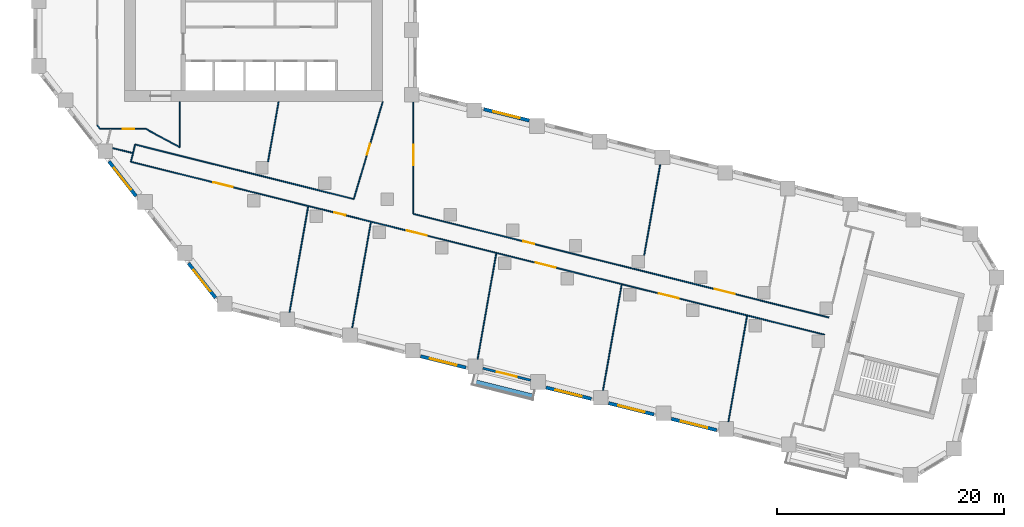
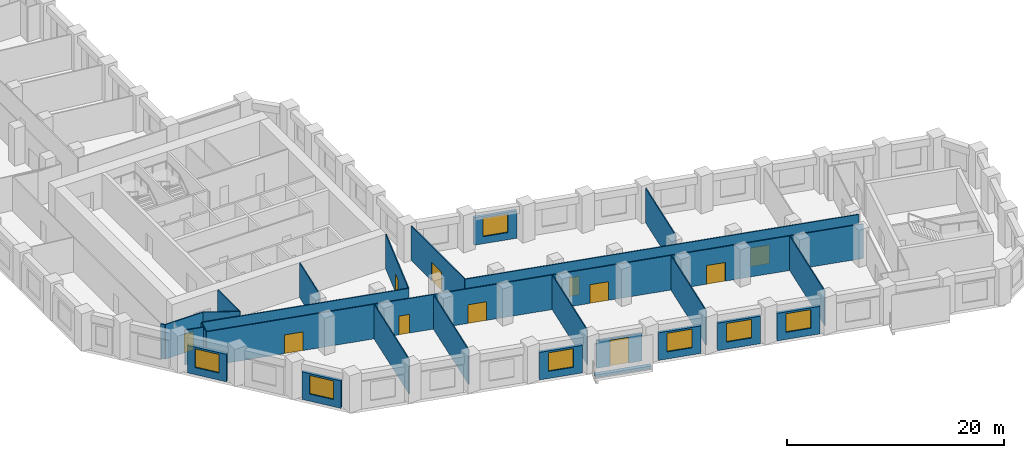
# One storey, part 3 of 10: 27 walls, 11 doors, 7 windows, 18 openings.
"""IFC4 building model written with IfcOpenShell, lengths in metres."""

from ifc_helpers import new_model, si_unit, direction, frame, frame_2d, origin, place, context, subcontext, project, spatial, rectangle, extrude, material, layer, layer_set, type_object, element, fill, save


model = new_model("IFC4")

# Units and contexts
model_context = context("Model", 3, precision=1e-05, world=origin(), true_north=direction((0.0, 1.0)))
body_context = subcontext(model_context, "Body", "Model", "MODEL_VIEW")
ifc_project = project(units=[si_unit("LENGTHUNIT", "METRE"), si_unit("AREAUNIT", "SQUARE_METRE"), si_unit("VOLUMEUNIT", "CUBIC_METRE"), si_unit("PLANEANGLEUNIT", "RADIAN"), si_unit("MASSUNIT", "GRAM", prefix="KILO")], contexts=[model_context])

# Site, building, storey
site_placement = place(None, origin())
site = spatial("IfcSite", under=ifc_project, at=site_placement, CompositionType="ELEMENT")
building_placement = place(site_placement, origin())
building = spatial("IfcBuilding", under=site, at=building_placement, Name="Meshkara Civic Tower", CompositionType="ELEMENT")
storey_placement = place(building_placement, frame((0.0, 0.0, 118.199951171875)))
storey = spatial("IfcBuildingStorey", under=building, at=storey_placement, Name="L26", CompositionType="ELEMENT", Elevation=118.199951171875)

# Wall
ifc_material_1 = material(Name="Corridor wall 100")
ifc_layer_1 = layer(ifc_material_1, 0.10009765625)
ifc_layer_set_1 = layer_set([ifc_layer_1], Name="Corridor wall 100")
wall_type_1 = type_object("IfcWallType", Name="Corridor wall 100", PredefinedType="PARTITIONING", material=ifc_layer_set_1)
wall_1_placement = place(storey_placement, frame((5.60009765625, 12.04296875, 0.0), z_axis=(0.0, 0.0, 1.0), x_axis=(0.615415398102, -0.788202948344, 0.0)))
element("IfcWall", 1, at=wall_1_placement, inside=storey, type_object=wall_type_1, Name="L26-W003", PredefinedType="PARTITIONING", context=body_context, shape_type="SweptSolid", body=[
    extrude(rectangle(XDim=0.435302734375, YDim=0.10009765625, at=frame_2d((0.2177734375, 0.0))), origin(), (0.0, 0.0, 1.0), 3.900146484375),
])

# Wall, opening, door
wall_2_placement = place(storey_placement, frame((5.867919921875, 11.699951171875, 0.0), z_axis=(0.0, 0.0, 1.0), x_axis=(1.0, 0.0, 0.0)))
wall_2 = element("IfcWall", 2, at=wall_2_placement, inside=storey, type_object=wall_type_1, Name="L26-W006", PredefinedType="PARTITIONING", context=body_context, shape_type="SweptSolid", body=[
    extrude(rectangle(XDim=4.031982421875, YDim=0.10009765625, at=frame_2d((2.01611328125, 0.0))), origin(), (0.0, 0.0, 1.0), 3.900146484375),
])
opening_1_placement = place(wall_2_placement, frame((2.009033203125, 0.0, 0.0)))
opening_1 = element("IfcOpeningElement", 3, at=opening_1_placement, cuts=wall_2, Name="Opening L26-D011", PredefinedType="OPENING", context=body_context, shape_type="SweptSolid", body=[
    extrude(rectangle(XDim=1.0, YDim=2.10009765625, at=frame_2d((0.5, 1.050048828125))), frame((0.0, 0.06005859375, 0.0), z_axis=(0.0, -1.0, 0.0), x_axis=(1.0, 0.0, 0.0)), (0.0, 0.0, 1.0), 0.1201171875),
])
ifc_material_2 = material(Name="Door 1000 x 2100")
door_type_1 = type_object("IfcDoorType", Name="Door 1000 x 2100", OperationType="SINGLE_SWING_LEFT", PredefinedType="DOOR", material=ifc_material_2)
door_1_placement = place(opening_1_placement, origin())
door_1 = element("IfcDoor", 4, at=door_1_placement, inside=storey, type_object=door_type_1, Name="L26-D011", OperationType="SINGLE_SWING_LEFT", OverallHeight=2.10009765625, OverallWidth=1.0, PredefinedType="DOOR", context=body_context, shape_type="SweptSolid", body=[
    extrude(rectangle(XDim=1.0, YDim=2.10009765625, at=frame_2d((0.5, 1.050048828125))), frame((0.0, 0.02490234375, 0.0), z_axis=(0.0, -1.0, 0.0), x_axis=(1.0, 0.0, 0.0)), (0.0, 0.0, 1.0), 0.050048828125),
])
fill(opening_1, door_1)

# Wall, openings, doors
wall_3_placement = place(storey_placement, frame((8.5791015625, 8.802978515625, 0.0), z_axis=(0.0, 0.0, 1.0), x_axis=(0.9702968999, -0.241917188404, 0.0)))
wall_3 = element("IfcWall", 5, at=wall_3_placement, inside=storey, type_object=wall_type_1, Name="L26-W009", PredefinedType="PARTITIONING", context=body_context, shape_type="SweptSolid", body=[
    extrude(rectangle(XDim=63.075439453125, YDim=0.10009765625, at=frame_2d((31.53759765625, 0.0))), origin(), (0.0, 0.0, 1.0), 3.900146484375),
])
opening_2_placement = place(wall_3_placement, frame((36.81005859375, 0.0, 0.0)))
opening_2 = element("IfcOpeningElement", 6, at=opening_2_placement, cuts=wall_3, Name="Opening L26-D003", PredefinedType="OPENING", context=body_context, shape_type="SweptSolid", body=[
    extrude(rectangle(XDim=1.800048828125, YDim=2.10009765625, at=frame_2d((0.89990234375, 1.050048828125))), frame((0.0, 0.06005859375, 0.0), z_axis=(0.0, -1.0, 0.0), x_axis=(1.0, 0.0, 0.0)), (0.0, 0.0, 1.0), 0.1201171875),
])
opening_3_placement = place(wall_3_placement, frame((48.010986328125, 0.0, 0.0)))
opening_3 = element("IfcOpeningElement", 7, at=opening_3_placement, cuts=wall_3, Name="Opening L26-D004", PredefinedType="OPENING", context=body_context, shape_type="SweptSolid", body=[
    extrude(rectangle(XDim=1.800048828125, YDim=2.10009765625, at=frame_2d((0.89990234375, 1.050048828125))), frame((0.0, 0.06005859375, 0.0), z_axis=(0.0, -1.0, 0.0), x_axis=(1.0, 0.0, 0.0)), (0.0, 0.0, 1.0), 0.1201171875),
])
opening_4_placement = place(wall_3_placement, frame((18.510009765625, 0.0, 0.0)))
opening_4 = element("IfcOpeningElement", 8, at=opening_4_placement, cuts=wall_3, Name="Opening L26-D007", PredefinedType="OPENING", context=body_context, shape_type="SweptSolid", body=[
    extrude(rectangle(XDim=1.0, YDim=2.10009765625, at=frame_2d((0.5, 1.050048828125))), frame((0.0, 0.06005859375, 0.0), z_axis=(0.0, -1.0, 0.0), x_axis=(1.0, 0.0, 0.0)), (0.0, 0.0, 1.0), 0.1201171875),
])
opening_5_placement = place(wall_3_placement, frame((25.110107421875, 0.0, 0.0)))
opening_5 = element("IfcOpeningElement", 9, at=opening_5_placement, cuts=wall_3, Name="Opening L26-D008", PredefinedType="OPENING", context=body_context, shape_type="SweptSolid", body=[
    extrude(rectangle(XDim=1.800048828125, YDim=2.10009765625, at=frame_2d((0.89990234375, 1.050048828125))), frame((0.0, 0.06005859375, 0.0), z_axis=(0.0, -1.0, 0.0), x_axis=(1.0, 0.0, 0.0)), (0.0, 0.0, 1.0), 0.1201171875),
])
opening_6_placement = place(wall_3_placement, frame((7.47998046875, 0.0, 0.0)))
opening_6 = element("IfcOpeningElement", 10, at=opening_6_placement, cuts=wall_3, Name="Opening L26-D012", PredefinedType="OPENING", context=body_context, shape_type="SweptSolid", body=[
    extrude(rectangle(XDim=1.800048828125, YDim=2.10009765625, at=frame_2d((0.89990234375, 1.050048828125))), frame((0.0, 0.06005859375, 0.0), z_axis=(0.0, -1.0, 0.0), x_axis=(1.0, 0.0, 0.0)), (0.0, 0.0, 1.0), 0.1201171875),
])
door_2_placement = place(opening_4_placement, origin())
door_2 = element("IfcDoor", 11, at=door_2_placement, inside=storey, type_object=door_type_1, Name="L26-D007", OperationType="SINGLE_SWING_LEFT", OverallHeight=2.10009765625, OverallWidth=1.0, PredefinedType="DOOR", context=body_context, shape_type="SweptSolid", body=[
    extrude(rectangle(XDim=1.0, YDim=2.10009765625, at=frame_2d((0.5, 1.050048828125))), frame((0.0, 0.02490234375, 0.0), z_axis=(0.0, -1.0, 0.0), x_axis=(1.0, 0.0, 0.0)), (0.0, 0.0, 1.0), 0.050048828125),
])
fill(opening_4, door_2)
ifc_material_3 = material(Name="Door pair 1800 x 2100")
door_type_2 = type_object("IfcDoorType", Name="Door pair 1800 x 2100", OperationType="SINGLE_SWING_LEFT", PredefinedType="DOOR", material=ifc_material_3)
door_3_placement = place(opening_2_placement, origin())
door_3 = element("IfcDoor", 12, at=door_3_placement, inside=storey, type_object=door_type_2, Name="L26-D003", OperationType="DOUBLE_DOOR_SINGLE_SWING", OverallHeight=2.10009765625, OverallWidth=1.800048828125, PredefinedType="DOOR", context=body_context, shape_type="SweptSolid", body=[
    extrude(rectangle(XDim=1.800048828125, YDim=2.10009765625, at=frame_2d((0.89990234375, 1.050048828125))), frame((0.0, 0.02490234375, 0.0), z_axis=(0.0, -1.0, 0.0), x_axis=(1.0, 0.0, 0.0)), (0.0, 0.0, 1.0), 0.050048828125),
])
fill(opening_2, door_3)
door_4_placement = place(opening_3_placement, origin())
door_4 = element("IfcDoor", 13, at=door_4_placement, inside=storey, type_object=door_type_2, Name="L26-D004", OperationType="DOUBLE_DOOR_SINGLE_SWING", OverallHeight=2.10009765625, OverallWidth=1.800048828125, PredefinedType="DOOR", context=body_context, shape_type="SweptSolid", body=[
    extrude(rectangle(XDim=1.800048828125, YDim=2.10009765625, at=frame_2d((0.89990234375, 1.050048828125))), frame((0.0, 0.02490234375, 0.0), z_axis=(0.0, -1.0, 0.0), x_axis=(1.0, 0.0, 0.0)), (0.0, 0.0, 1.0), 0.050048828125),
])
fill(opening_3, door_4)
door_5_placement = place(opening_5_placement, origin())
door_5 = element("IfcDoor", 14, at=door_5_placement, inside=storey, type_object=door_type_2, Name="L26-D008", OperationType="DOUBLE_DOOR_SINGLE_SWING", OverallHeight=2.10009765625, OverallWidth=1.800048828125, PredefinedType="DOOR", context=body_context, shape_type="SweptSolid", body=[
    extrude(rectangle(XDim=1.800048828125, YDim=2.10009765625, at=frame_2d((0.89990234375, 1.050048828125))), frame((0.0, 0.02490234375, 0.0), z_axis=(0.0, -1.0, 0.0), x_axis=(1.0, 0.0, 0.0)), (0.0, 0.0, 1.0), 0.050048828125),
])
fill(opening_5, door_5)
door_6_placement = place(opening_6_placement, origin())
door_6 = element("IfcDoor", 15, at=door_6_placement, inside=storey, type_object=door_type_2, Name="L26-D012", OperationType="DOUBLE_DOOR_SINGLE_SWING", OverallHeight=2.10009765625, OverallWidth=1.800048828125, PredefinedType="DOOR", context=body_context, shape_type="SweptSolid", body=[
    extrude(rectangle(XDim=1.800048828125, YDim=2.10009765625, at=frame_2d((0.89990234375, 1.050048828125))), frame((0.0, 0.02490234375, 0.0), z_axis=(0.0, -1.0, 0.0), x_axis=(1.0, 0.0, 0.0)), (0.0, 0.0, 1.0), 0.050048828125),
])
fill(opening_6, door_6)

# Walls
wall_4_placement = place(storey_placement, frame((8.9580078125, 10.322998046875, 0.0), z_axis=(0.0, 0.0, 1.0), x_axis=(0.970298340477, -0.241911410372, 0.0)))
element("IfcWall", 16, at=wall_4_placement, inside=storey, type_object=wall_type_1, Name="L26-W010", PredefinedType="PARTITIONING", context=body_context, shape_type="SweptSolid", body=[
    extrude(rectangle(XDim=19.879638671875, YDim=0.10009765625, at=frame_2d((9.93994140625, 0.0))), origin(), (0.0, 0.0, 1.0), 3.900146484375),
])
wall_5_placement = place(storey_placement, frame((8.9580078125, 10.322998046875, 0.0), z_axis=(0.0, 0.0, 1.0), x_axis=(-0.241875508386, -0.97030729073, 0.0)))
element("IfcWall", 17, at=wall_5_placement, inside=storey, type_object=wall_type_1, Name="L26-W011", PredefinedType="PARTITIONING", context=body_context, shape_type="SweptSolid", body=[
    extrude(rectangle(XDim=1.566650390625, YDim=0.10009765625, at=frame_2d((0.783203125, 0.0))), origin(), (0.0, 0.0, 1.0), 3.900146484375),
])
wall_6_placement = place(storey_placement, frame((9.89990234375, 11.699951171875, 0.0), z_axis=(0.0, 0.0, 1.0), x_axis=(0.87965147249, -0.475618846291, 0.0)))
element("IfcWall", 18, at=wall_6_placement, inside=storey, type_object=wall_type_1, Name="L26-W012", PredefinedType="PARTITIONING", context=body_context, shape_type="SweptSolid", body=[
    extrude(rectangle(XDim=3.410400390625, YDim=0.10009765625, at=frame_2d((1.705078125, 0.0))), origin(), (0.0, 0.0, 1.0), 3.900146484375),
])
wall_7_placement = place(storey_placement, frame((12.89990234375, 10.077880859375, 0.0), z_axis=(0.0, 0.0, 1.0), x_axis=(0.0, 1.0, 0.0)))
element("IfcWall", 19, at=wall_7_placement, inside=storey, type_object=wall_type_1, Name="L26-W015", PredefinedType="PARTITIONING", context=body_context, shape_type="SweptSolid", body=[
    extrude(rectangle(XDim=4.022216796875, YDim=0.10009765625, at=frame_2d((2.01123046875, 0.0))), origin(), (0.0, 0.0, 1.0), 3.900146484375),
])

# Wall, opening, door
wall_8_placement = place(storey_placement, frame((30.800048828125, 14.10009765625, 0.0), z_axis=(0.0, 0.0, 1.0), x_axis=(-0.285004107837, -0.958526295162, 0.0)))
wall_8 = element("IfcWall", 20, at=wall_8_placement, inside=storey, type_object=wall_type_1, Name="L26-W021", PredefinedType="PARTITIONING", context=body_context, shape_type="SweptSolid", body=[
    extrude(rectangle(XDim=8.957763671875, YDim=0.10009765625, at=frame_2d((4.47900390625, 0.0))), origin(), (0.0, 0.0, 1.0), 3.900146484375),
])
opening_7_placement = place(wall_8_placement, frame((3.8798828125, 0.0, 0.0)))
opening_7 = element("IfcOpeningElement", 21, at=opening_7_placement, cuts=wall_8, Name="Opening L26-D013", PredefinedType="OPENING", context=body_context, shape_type="SweptSolid", body=[
    extrude(rectangle(XDim=1.0, YDim=2.10009765625, at=frame_2d((0.5, 1.050048828125))), frame((0.0, 0.06005859375, 0.0), z_axis=(0.0, -1.0, 0.0), x_axis=(1.0, 0.0, 0.0)), (0.0, 0.0, 1.0), 0.1201171875),
])
door_7_placement = place(opening_7_placement, origin())
door_7 = element("IfcDoor", 22, at=door_7_placement, inside=storey, type_object=door_type_1, Name="L26-D013", OperationType="SINGLE_SWING_RIGHT", OverallHeight=2.10009765625, OverallWidth=1.0, PredefinedType="DOOR", context=body_context, shape_type="SweptSolid", body=[
    extrude(rectangle(XDim=1.0, YDim=2.10009765625, at=frame_2d((0.5, 1.050048828125))), frame((0.0, 0.02490234375, 0.0), z_axis=(0.0, -1.0, 0.0), x_axis=(1.0, 0.0, 0.0)), (0.0, 0.0, 1.0), 0.050048828125),
])
fill(opening_7, door_7)

# Wall, openings, doors
wall_9_placement = place(storey_placement, frame((33.5, 4.2041015625, 0.0), z_axis=(0.0, 0.0, 1.0), x_axis=(0.970297005816, -0.241916763589, 0.0)))
wall_9 = element("IfcWall", 23, at=wall_9_placement, inside=storey, type_object=wall_type_1, Name="L26-W022", PredefinedType="PARTITIONING", context=body_context, shape_type="SweptSolid", body=[
    extrude(rectangle(XDim=37.7822265625, YDim=0.10009765625, at=frame_2d((18.89111328125, 0.0))), origin(), (0.0, 0.0, 1.0), 3.900146484375),
])
opening_8_placement = place(wall_9_placement, frame((27.4169921875, 0.0, 0.0)))
opening_8 = element("IfcOpeningElement", 24, at=opening_8_placement, cuts=wall_9, Name="Opening L26-D005", PredefinedType="OPENING", context=body_context, shape_type="SweptSolid", body=[
    extrude(rectangle(XDim=1.800048828125, YDim=2.10009765625, at=frame_2d((0.89990234375, 1.050048828125))), frame((0.0, 0.06005859375, 0.0), z_axis=(0.0, -1.0, 0.0), x_axis=(1.0, 0.0, 0.0)), (0.0, 0.0, 1.0), 0.1201171875),
])
opening_9_placement = place(wall_9_placement, frame((9.97998046875, 0.0, 0.0)))
opening_9 = element("IfcOpeningElement", 25, at=opening_9_placement, cuts=wall_9, Name="Opening L26-D009", PredefinedType="OPENING", context=body_context, shape_type="SweptSolid", body=[
    extrude(rectangle(XDim=1.0, YDim=2.10009765625, at=frame_2d((0.5, 1.050048828125))), frame((0.0, 0.06005859375, 0.0), z_axis=(0.0, -1.0, 0.0), x_axis=(1.0, 0.0, 0.0)), (0.0, 0.0, 1.0), 0.1201171875),
])
door_8_placement = place(opening_9_placement, origin())
door_8 = element("IfcDoor", 26, at=door_8_placement, inside=storey, type_object=door_type_1, Name="L26-D009", OperationType="SINGLE_SWING_RIGHT", OverallHeight=2.10009765625, OverallWidth=1.0, PredefinedType="DOOR", context=body_context, shape_type="SweptSolid", body=[
    extrude(rectangle(XDim=1.0, YDim=2.10009765625, at=frame_2d((0.5, 1.050048828125))), frame((0.0, 0.02490234375, 0.0), z_axis=(0.0, -1.0, 0.0), x_axis=(1.0, 0.0, 0.0)), (0.0, 0.0, 1.0), 0.050048828125),
])
fill(opening_9, door_8)
door_9_placement = place(opening_8_placement, origin())
door_9 = element("IfcDoor", 27, at=door_9_placement, inside=storey, type_object=door_type_2, Name="L26-D005", OperationType="DOUBLE_DOOR_SINGLE_SWING", OverallHeight=2.10009765625, OverallWidth=1.800048828125, PredefinedType="DOOR", context=body_context, shape_type="SweptSolid", body=[
    extrude(rectangle(XDim=1.800048828125, YDim=2.10009765625, at=frame_2d((0.89990234375, 1.050048828125))), frame((0.0, 0.02490234375, 0.0), z_axis=(0.0, -1.0, 0.0), x_axis=(1.0, 0.0, 0.0)), (0.0, 0.0, 1.0), 0.050048828125),
])
fill(opening_8, door_9)

# Wall, opening, door
wall_10_placement = place(storey_placement, frame((33.5, 4.2041015625, 0.0), z_axis=(0.0, 0.0, 1.0), x_axis=(0.0, 1.0, 0.0)))
wall_10 = element("IfcWall", 28, at=wall_10_placement, inside=storey, type_object=wall_type_1, Name="L26-W023", PredefinedType="PARTITIONING", context=body_context, shape_type="SweptSolid", body=[
    extrude(rectangle(XDim=9.864990234375, YDim=0.10009765625, at=frame_2d((4.9326171875, 0.0))), origin(), (0.0, 0.0, 1.0), 3.900146484375),
])
opening_10_placement = place(wall_10_placement, frame((4.280029296875, 0.0, 0.0)))
opening_10 = element("IfcOpeningElement", 29, at=opening_10_placement, cuts=wall_10, Name="Opening L26-D014", PredefinedType="OPENING", context=body_context, shape_type="SweptSolid", body=[
    extrude(rectangle(XDim=1.800048828125, YDim=2.10009765625, at=frame_2d((0.89990234375, 1.050048828125))), frame((0.0, 0.06005859375, 0.0), z_axis=(0.0, -1.0, 0.0), x_axis=(1.0, 0.0, 0.0)), (0.0, 0.0, 1.0), 0.1201171875),
])
door_10_placement = place(opening_10_placement, origin())
door_10 = element("IfcDoor", 30, at=door_10_placement, inside=storey, type_object=door_type_2, Name="L26-D014", OperationType="DOUBLE_DOOR_SINGLE_SWING", OverallHeight=2.10009765625, OverallWidth=1.800048828125, PredefinedType="DOOR", context=body_context, shape_type="SweptSolid", body=[
    extrude(rectangle(XDim=1.800048828125, YDim=2.10009765625, at=frame_2d((0.89990234375, 1.050048828125))), frame((0.0, 0.02490234375, 0.0), z_axis=(0.0, -1.0, 0.0), x_axis=(1.0, 0.0, 0.0)), (0.0, 0.0, 1.0), 0.050048828125),
])
fill(opening_10, door_10)

# Wall, opening, window
ifc_material_4 = material(Name="Insulated infill panel with bronze anodised aluminium cladding", Category="aluminium")
ifc_layer_2 = layer(ifc_material_4, 0.300048828125)
ifc_layer_set_2 = layer_set([ifc_layer_2], Name="EXTERNAL INFILL WALL 300")
wall_type_2 = type_object("IfcWallType", Name="EXTERNAL INFILL WALL 300", PredefinedType="SOLIDWALL", material=ifc_layer_set_2)
wall_11_placement = place(storey_placement, frame((43.718994140625, 12.443115234375, 0.0), z_axis=(0.0, 0.0, 1.0), x_axis=(-0.970281650314, 0.241978344205, 0.0)))
wall_11 = element("IfcWall", 31, at=wall_11_placement, inside=storey, type_object=wall_type_2, Name="External wall", PredefinedType="SOLIDWALL", context=body_context, shape_type="SweptSolid", body=[
    extrude(rectangle(XDim=4.12353515625, YDim=0.300048828125, at=frame_2d((2.061767578125, 0.0))), origin(), (0.0, 0.0, 1.0), 3.10009765625),
])
opening_11_placement = place(wall_11_placement, frame((0.862060546875, 0.0, 0.800048828125)))
opening_11 = element("IfcOpeningElement", 32, at=opening_11_placement, cuts=wall_11, Name="Opening W7", PredefinedType="OPENING", context=body_context, shape_type="SweptSolid", body=[
    extrude(rectangle(XDim=2.39990234375, YDim=2.10009765625, at=frame_2d((1.199951171875, 1.050048828125))), frame((0.0, 0.159912109375, 0.0), z_axis=(0.0, -1.0, 0.0), x_axis=(1.0, 0.0, 0.0)), (0.0, 0.0, 1.0), 0.320068359375),
])
ifc_material_5 = material(Name="Tinted double glazing", Category="glass")
window_type = type_object("IfcWindowType", Name="WINDOW 2400x2100", PartitioningType="DOUBLE_PANEL_VERTICAL", PredefinedType="WINDOW", material=ifc_material_5)
window_1_placement = place(opening_11_placement, origin())
window_1 = element("IfcWindow", 33, at=window_1_placement, inside=storey, type_object=window_type, Name="Window", OverallHeight=2.10009765625, OverallWidth=2.39990234375, PartitioningType="DOUBLE_PANEL_VERTICAL", PredefinedType="WINDOW", context=body_context, shape_type="SweptSolid", body=[
    extrude(rectangle(XDim=2.39990234375, YDim=2.10009765625, at=frame_2d((1.199951171875, 1.050048828125))), frame((0.0, 0.030029296875, 0.0), z_axis=(0.0, -1.0, 0.0), x_axis=(1.0, 0.0, 0.0)), (0.0, 0.0, 1.0), 0.06005859375),
])
fill(opening_11, window_1)

wall_12_placement = place(storey_placement, frame((6.64892578125, 8.833984375, 0.0), z_axis=(0.0, 0.0, 1.0), x_axis=(0.615535257281, -0.788109349674, 0.0)))
wall_12 = element("IfcWall", 34, at=wall_12_placement, inside=storey, type_object=wall_type_2, Name="External wall", PredefinedType="SOLIDWALL", context=body_context, shape_type="SweptSolid", body=[
    extrude(rectangle(XDim=3.876220703125, YDim=0.300048828125, at=frame_2d((1.93798828125, 0.0))), origin(), (0.0, 0.0, 1.0), 3.10009765625),
])
opening_12_placement = place(wall_12_placement, frame((0.738037109375, 0.0, 0.800048828125)))
opening_12 = element("IfcOpeningElement", 35, at=opening_12_placement, cuts=wall_12, Name="Opening W7", PredefinedType="OPENING", context=body_context, shape_type="SweptSolid", body=[
    extrude(rectangle(XDim=2.39990234375, YDim=2.10009765625, at=frame_2d((1.199951171875, 1.050048828125))), frame((0.0, 0.159912109375, 0.0), z_axis=(0.0, -1.0, 0.0), x_axis=(1.0, 0.0, 0.0)), (0.0, 0.0, 1.0), 0.320068359375),
])
window_2_placement = place(opening_12_placement, origin())
window_2 = element("IfcWindow", 36, at=window_2_placement, inside=storey, type_object=window_type, Name="Window", OverallHeight=2.10009765625, OverallWidth=2.39990234375, PartitioningType="DOUBLE_PANEL_VERTICAL", PredefinedType="WINDOW", context=body_context, shape_type="SweptSolid", body=[
    extrude(rectangle(XDim=2.39990234375, YDim=2.10009765625, at=frame_2d((1.199951171875, 1.050048828125))), frame((0.0, 0.030029296875, 0.0), z_axis=(0.0, -1.0, 0.0), x_axis=(1.0, 0.0, 0.0)), (0.0, 0.0, 1.0), 0.06005859375),
])
fill(opening_12, window_2)

wall_13_placement = place(storey_placement, frame((13.6669921875, -0.14990234375, 0.0), z_axis=(0.0, 0.0, 1.0), x_axis=(0.615626928003, -0.788037743714, 0.0)))
wall_13 = element("IfcWall", 37, at=wall_13_placement, inside=storey, type_object=wall_type_2, Name="External wall", PredefinedType="SOLIDWALL", context=body_context, shape_type="SweptSolid", body=[
    extrude(rectangle(XDim=3.875732421875, YDim=0.300048828125, at=frame_2d((1.93798828125, 0.0))), origin(), (0.0, 0.0, 1.0), 3.10009765625),
])
opening_13_placement = place(wall_13_placement, frame((0.738037109375, 0.0, 0.800048828125)))
opening_13 = element("IfcOpeningElement", 38, at=opening_13_placement, cuts=wall_13, Name="Opening W7", PredefinedType="OPENING", context=body_context, shape_type="SweptSolid", body=[
    extrude(rectangle(XDim=2.39990234375, YDim=2.10009765625, at=frame_2d((1.199951171875, 1.050048828125))), frame((0.0, 0.159912109375, 0.0), z_axis=(0.0, -1.0, 0.0), x_axis=(1.0, 0.0, 0.0)), (0.0, 0.0, 1.0), 0.320068359375),
])
window_3_placement = place(opening_13_placement, origin())
window_3 = element("IfcWindow", 39, at=window_3_placement, inside=storey, type_object=window_type, Name="Window", OverallHeight=2.10009765625, OverallWidth=2.39990234375, PartitioningType="DOUBLE_PANEL_VERTICAL", PredefinedType="WINDOW", context=body_context, shape_type="SweptSolid", body=[
    extrude(rectangle(XDim=2.39990234375, YDim=2.10009765625, at=frame_2d((1.199951171875, 1.050048828125))), frame((0.0, 0.030029296875, 0.0), z_axis=(0.0, -1.0, 0.0), x_axis=(1.0, 0.0, 0.0)), (0.0, 0.0, 1.0), 0.06005859375),
])
fill(opening_13, window_3)

wall_14_placement = place(storey_placement, frame((34.135009765625, -8.35595703125, 0.0), z_axis=(0.0, 0.0, 1.0), x_axis=(0.970281616392, -0.241978480223, 0.0)))
wall_14 = element("IfcWall", 40, at=wall_14_placement, inside=storey, type_object=wall_type_2, Name="External wall", PredefinedType="SOLIDWALL", context=body_context, shape_type="SweptSolid", body=[
    extrude(rectangle(XDim=4.12451171875, YDim=0.300048828125, at=frame_2d((2.062255859375, 0.0))), origin(), (0.0, 0.0, 1.0), 3.10009765625),
])
opening_14_placement = place(wall_14_placement, frame((0.862060546875, 0.0, 0.800048828125)))
opening_14 = element("IfcOpeningElement", 41, at=opening_14_placement, cuts=wall_14, Name="Opening W7", PredefinedType="OPENING", context=body_context, shape_type="SweptSolid", body=[
    extrude(rectangle(XDim=2.39990234375, YDim=2.10009765625, at=frame_2d((1.199951171875, 1.050048828125))), frame((0.0, 0.159912109375, 0.0), z_axis=(0.0, -1.0, 0.0), x_axis=(1.0, 0.0, 0.0)), (0.0, 0.0, 1.0), 0.320068359375),
])
window_4_placement = place(opening_14_placement, origin())
window_4 = element("IfcWindow", 42, at=window_4_placement, inside=storey, type_object=window_type, Name="Window", OverallHeight=2.10009765625, OverallWidth=2.39990234375, PartitioningType="DOUBLE_PANEL_VERTICAL", PredefinedType="WINDOW", context=body_context, shape_type="SweptSolid", body=[
    extrude(rectangle(XDim=2.39990234375, YDim=2.10009765625, at=frame_2d((1.199951171875, 1.050048828125))), frame((0.0, 0.030029296875, 0.0), z_axis=(0.0, -1.0, 0.0), x_axis=(1.0, 0.0, 0.0)), (0.0, 0.0, 1.0), 0.06005859375),
])
fill(opening_14, window_4)

wall_15_placement = place(storey_placement, frame((45.197021484375, -11.114013671875, 0.0), z_axis=(0.0, 0.0, 1.0), x_axis=(0.970267747908, -0.242034083076, 0.0)))
wall_15 = element("IfcWall", 43, at=wall_15_placement, inside=storey, type_object=wall_type_2, Name="External wall", PredefinedType="SOLIDWALL", context=body_context, shape_type="SweptSolid", body=[
    extrude(rectangle(XDim=4.12353515625, YDim=0.300048828125, at=frame_2d((2.061767578125, 0.0))), origin(), (0.0, 0.0, 1.0), 3.10009765625),
])
opening_15_placement = place(wall_15_placement, frame((0.862060546875, 0.0, 0.800048828125)))
opening_15 = element("IfcOpeningElement", 44, at=opening_15_placement, cuts=wall_15, Name="Opening W7", PredefinedType="OPENING", context=body_context, shape_type="SweptSolid", body=[
    extrude(rectangle(XDim=2.39990234375, YDim=2.10009765625, at=frame_2d((1.199951171875, 1.050048828125))), frame((0.0, 0.159912109375, 0.0), z_axis=(0.0, -1.0, 0.0), x_axis=(1.0, 0.0, 0.0)), (0.0, 0.0, 1.0), 0.320068359375),
])
window_5_placement = place(opening_15_placement, origin())
window_5 = element("IfcWindow", 45, at=window_5_placement, inside=storey, type_object=window_type, Name="Window", OverallHeight=2.10009765625, OverallWidth=2.39990234375, PartitioningType="DOUBLE_PANEL_VERTICAL", PredefinedType="WINDOW", context=body_context, shape_type="SweptSolid", body=[
    extrude(rectangle(XDim=2.39990234375, YDim=2.10009765625, at=frame_2d((1.199951171875, 1.050048828125))), frame((0.0, 0.030029296875, 0.0), z_axis=(0.0, -1.0, 0.0), x_axis=(1.0, 0.0, 0.0)), (0.0, 0.0, 1.0), 0.06005859375),
])
fill(opening_15, window_5)

wall_16_placement = place(storey_placement, frame((50.72705078125, -12.492919921875, 0.0), z_axis=(0.0, 0.0, 1.0), x_axis=(0.970281616392, -0.241978480223, 0.0)))
wall_16 = element("IfcWall", 46, at=wall_16_placement, inside=storey, type_object=wall_type_2, Name="External wall", PredefinedType="SOLIDWALL", context=body_context, shape_type="SweptSolid", body=[
    extrude(rectangle(XDim=4.12451171875, YDim=0.300048828125, at=frame_2d((2.062255859375, 0.0))), origin(), (0.0, 0.0, 1.0), 3.10009765625),
])
opening_16_placement = place(wall_16_placement, frame((0.862060546875, 0.0, 0.800048828125)))
opening_16 = element("IfcOpeningElement", 47, at=opening_16_placement, cuts=wall_16, Name="Opening W7", PredefinedType="OPENING", context=body_context, shape_type="SweptSolid", body=[
    extrude(rectangle(XDim=2.39990234375, YDim=2.10009765625, at=frame_2d((1.199951171875, 1.050048828125))), frame((0.0, 0.159912109375, 0.0), z_axis=(0.0, -1.0, 0.0), x_axis=(1.0, 0.0, 0.0)), (0.0, 0.0, 1.0), 0.320068359375),
])
window_6_placement = place(opening_16_placement, origin())
window_6 = element("IfcWindow", 48, at=window_6_placement, inside=storey, type_object=window_type, Name="Window", OverallHeight=2.10009765625, OverallWidth=2.39990234375, PartitioningType="DOUBLE_PANEL_VERTICAL", PredefinedType="WINDOW", context=body_context, shape_type="SweptSolid", body=[
    extrude(rectangle(XDim=2.39990234375, YDim=2.10009765625, at=frame_2d((1.199951171875, 1.050048828125))), frame((0.0, 0.030029296875, 0.0), z_axis=(0.0, -1.0, 0.0), x_axis=(1.0, 0.0, 0.0)), (0.0, 0.0, 1.0), 0.06005859375),
])
fill(opening_16, window_6)

wall_17_placement = place(storey_placement, frame((56.258056640625, -13.8720703125, 0.0), z_axis=(0.0, 0.0, 1.0), x_axis=(0.970281616392, -0.241978480223, 0.0)))
wall_17 = element("IfcWall", 49, at=wall_17_placement, inside=storey, type_object=wall_type_2, Name="External wall", PredefinedType="SOLIDWALL", context=body_context, shape_type="SweptSolid", body=[
    extrude(rectangle(XDim=4.12451171875, YDim=0.300048828125, at=frame_2d((2.062255859375, 0.0))), origin(), (0.0, 0.0, 1.0), 3.10009765625),
])
opening_17_placement = place(wall_17_placement, frame((0.862060546875, 0.0, 0.800048828125)))
opening_17 = element("IfcOpeningElement", 50, at=opening_17_placement, cuts=wall_17, Name="Opening W7", PredefinedType="OPENING", context=body_context, shape_type="SweptSolid", body=[
    extrude(rectangle(XDim=2.39990234375, YDim=2.10009765625, at=frame_2d((1.199951171875, 1.050048828125))), frame((0.0, 0.159912109375, 0.0), z_axis=(0.0, -1.0, 0.0), x_axis=(1.0, 0.0, 0.0)), (0.0, 0.0, 1.0), 0.320068359375),
])
window_7_placement = place(opening_17_placement, origin())
window_7 = element("IfcWindow", 51, at=window_7_placement, inside=storey, type_object=window_type, Name="Window", OverallHeight=2.10009765625, OverallWidth=2.39990234375, PartitioningType="DOUBLE_PANEL_VERTICAL", PredefinedType="WINDOW", context=body_context, shape_type="SweptSolid", body=[
    extrude(rectangle(XDim=2.39990234375, YDim=2.10009765625, at=frame_2d((1.199951171875, 1.050048828125))), frame((0.0, 0.030029296875, 0.0), z_axis=(0.0, -1.0, 0.0), x_axis=(1.0, 0.0, 0.0)), (0.0, 0.0, 1.0), 0.06005859375),
])
fill(opening_17, window_7)

# Wall, opening, door
ifc_material_6 = material(Name="Insulated infill panel with bronze anodised aluminium cladding", Category="aluminium")
ifc_layer_3 = layer(ifc_material_6, 0.199951171875)
ifc_layer_set_3 = layer_set([ifc_layer_3], Name="LOGGIA BACK WALL 200")
wall_type_3 = type_object("IfcWallType", Name="LOGGIA BACK WALL 200", PredefinedType="SOLIDWALL", material=ifc_layer_set_3)
wall_18_placement = place(storey_placement, frame((39.6240234375, -9.416015625, 0.0), z_axis=(0.0, 0.0, 1.0), x_axis=(0.970346363444, -0.241718710386, 0.0)))
wall_18 = element("IfcWall", 52, at=wall_18_placement, inside=storey, type_object=wall_type_3, Name="Loggia wall", PredefinedType="SOLIDWALL", context=body_context, shape_type="SweptSolid", body=[
    extrude(rectangle(XDim=4.3603515625, YDim=0.199951171875, at=frame_2d((2.18017578125, 0.0))), origin(), (0.0, 0.0, 1.0), 3.10009765625),
])
opening_18_placement = place(wall_18_placement, frame((1.280029296875, 0.0, 0.0)))
opening_18 = element("IfcOpeningElement", 53, at=opening_18_placement, cuts=wall_18, Name="Opening L26-L002", PredefinedType="OPENING", context=body_context, shape_type="SweptSolid", body=[
    extrude(rectangle(XDim=1.800048828125, YDim=2.89990234375, at=frame_2d((0.89990234375, 1.449951171875))), frame((0.0, 0.10986328125, 0.0), z_axis=(0.0, -1.0, 0.0), x_axis=(1.0, 0.0, 0.0)), (0.0, 0.0, 1.0), 0.219970703125),
])
ifc_material_7 = material(Name="Tinted double glazing", Category="glass")
door_type_3 = type_object("IfcDoorType", Name="LOGGIA DOOR 1800x2900", OperationType="DOUBLE_DOOR_SINGLE_SWING", PredefinedType="DOOR", material=ifc_material_7)
door_11_placement = place(opening_18_placement, origin())
door_11 = element("IfcDoor", 54, at=door_11_placement, inside=storey, type_object=door_type_3, Name="L26-L002", OperationType="DOUBLE_DOOR_SINGLE_SWING", OverallHeight=2.89990234375, OverallWidth=1.800048828125, PredefinedType="DOOR", context=body_context, shape_type="SweptSolid", body=[
    extrude(rectangle(XDim=1.800048828125, YDim=2.89990234375, at=frame_2d((0.89990234375, 1.449951171875))), frame((0.0, 0.02490234375, 0.0), z_axis=(0.0, -1.0, 0.0), x_axis=(1.0, 0.0, 0.0)), (0.0, 0.0, 1.0), 0.050048828125),
])
fill(opening_18, door_11)

# Walls
ifc_material_8 = material(Name="Concrete C40", Category="concrete")
ifc_layer_4 = layer(ifc_material_8, 0.39990234375)
ifc_layer_set_4 = layer_set([ifc_layer_4], Name="PLANTER TRAY")
wall_type_4 = type_object("IfcWallType", Name="PLANTER TRAY", PredefinedType="SOLIDWALL", material=ifc_layer_set_4)
wall_19_placement = place(storey_placement, frame((38.81689453125, -10.5849609375, 0.0), z_axis=(0.0, 0.0, 1.0), x_axis=(0.970281652924, -0.241978333739, 0.0)))
element("IfcWall", 55, at=wall_19_placement, inside=storey, type_object=wall_type_4, Name="Planter", PredefinedType="SOLIDWALL", context=body_context, shape_type="SweptSolid", body=[
    extrude(rectangle(XDim=5.360595703125, YDim=0.39990234375, at=frame_2d((2.68017578125, 0.0))), origin(), (0.0, 0.0, 1.0), 0.300048828125),
])
ifc_material_9 = material(Name="Partition 100")
ifc_layer_5 = layer(ifc_material_9, 0.10009765625)
ifc_layer_set_5 = layer_set([ifc_layer_5], Name="Partition 100")
wall_type_5 = type_object("IfcWallType", Name="Partition 100", PredefinedType="PARTITIONING", material=ifc_layer_set_5)
wall_20_placement = place(storey_placement, frame((8.718994140625, 9.574951171875, 0.0), z_axis=(0.0, 0.0, 1.0), x_axis=(-0.970333736057, 0.241769395645, 0.0)))
element("IfcWall", 56, at=wall_20_placement, inside=storey, type_object=wall_type_5, Name="L26-W034", PredefinedType="PARTITIONING", context=body_context, shape_type="SweptSolid", body=[
    extrude(rectangle(XDim=1.799560546875, YDim=0.10009765625, at=frame_2d((0.89990234375, 0.0))), origin(), (0.0, 0.0, 1.0), 3.900146484375),
])
wall_21_placement = place(storey_placement, frame((20.680908203125, 8.821044921875, 0.0), z_axis=(0.0, 0.0, 1.0), x_axis=(0.173704790762, 0.984797768918, 0.0)))
element("IfcWall", 57, at=wall_21_placement, inside=storey, type_object=wall_type_5, Name="L26-W038", PredefinedType="PARTITIONING", context=body_context, shape_type="SweptSolid", body=[
    extrude(rectangle(XDim=5.360595703125, YDim=0.10009765625, at=frame_2d((2.68017578125, 0.0))), origin(), (0.0, 0.0, 1.0), 3.900146484375),
])
for number, where, z_axis, x_axis, name in (
    (58, (22.577880859375, -4.467041015625, 0.0), (0.0, 0.0, 1.0), (0.1737087662, 0.984797067697, 0.0), "L26-W043"),
    (59, (28.10888671875, -5.845947265625, 0.0), (0.0, 0.0, 1.0), (0.1737087662, 0.984797067697, 0.0), "L26-W044"),
):
    element("IfcWall", number, at=place(storey_placement, frame(where, z_axis=z_axis, x_axis=x_axis)), inside=storey, type_object=wall_type_5, Name=name, PredefinedType="PARTITIONING", context=body_context, shape_type="SweptSolid", body=[
        extrude(rectangle(XDim=9.458740234375, YDim=0.10009765625, at=frame_2d((4.7294921875, 0.0))), origin(), (0.0, 0.0, 1.0), 3.900146484375),
    ])
for number, where, z_axis, x_axis, name in (
    (60, (39.169921875, -8.60302734375, 0.0), (0.0, 0.0, 1.0), (0.173726429776, 0.984793951849, 0.0), "L26-W045"),
    (61, (50.23193359375, -11.361083984375, 0.0), (0.0, 0.0, 1.0), (0.173726429776, 0.984793951849, 0.0), "L26-W046"),
):
    element("IfcWall", number, at=place(storey_placement, frame(where, z_axis=z_axis, x_axis=x_axis)), inside=storey, type_object=wall_type_5, Name=name, PredefinedType="PARTITIONING", context=body_context, shape_type="SweptSolid", body=[
        extrude(rectangle(XDim=9.457763671875, YDim=0.10009765625, at=frame_2d((4.72900390625, 0.0))), origin(), (0.0, 0.0, 1.0), 3.900146484375),
    ])
wall_22_placement = place(storey_placement, frame((53.864990234375, 0.547119140625, 0.0), z_axis=(0.0, 0.0, 1.0), x_axis=(0.17370309897, 0.984798067326, 0.0)))
element("IfcWall", 62, at=wall_22_placement, inside=storey, type_object=wall_type_5, Name="L26-W047", PredefinedType="PARTITIONING", context=body_context, shape_type="SweptSolid", body=[
    extrude(rectangle(XDim=8.12939453125, YDim=0.10009765625, at=frame_2d((4.064697265625, 0.0))), origin(), (0.0, 0.0, 1.0), 3.900146484375),
])
wall_23_placement = place(storey_placement, frame((61.29296875, -14.118896484375, 0.0), z_axis=(0.0, 0.0, 1.0), x_axis=(0.173726429776, 0.984793951849, 0.0)))
element("IfcWall", 63, at=wall_23_placement, inside=storey, type_object=wall_type_5, Name="L26-W048", PredefinedType="PARTITIONING", context=body_context, shape_type="SweptSolid", body=[
    extrude(rectangle(XDim=9.457763671875, YDim=0.10009765625, at=frame_2d((4.72900390625, 0.0))), origin(), (0.0, 0.0, 1.0), 3.900146484375),
])

save(model, "model.ifc")
